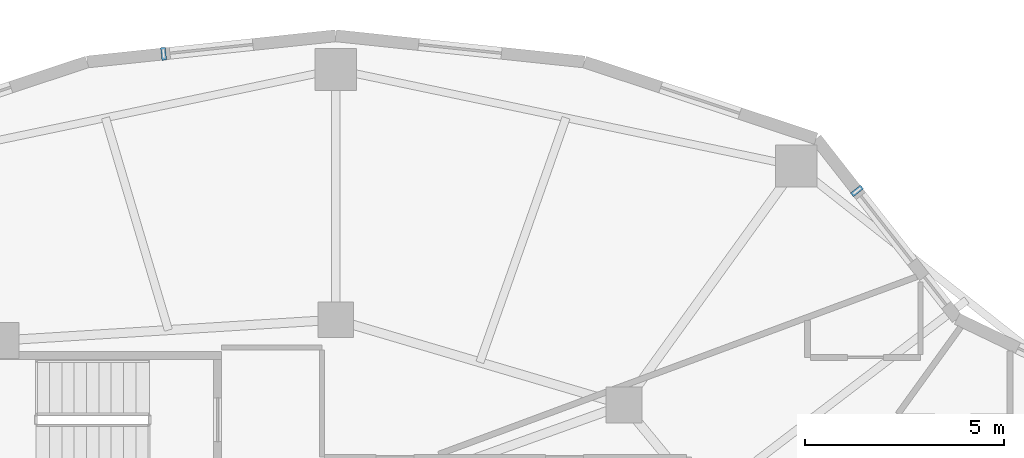
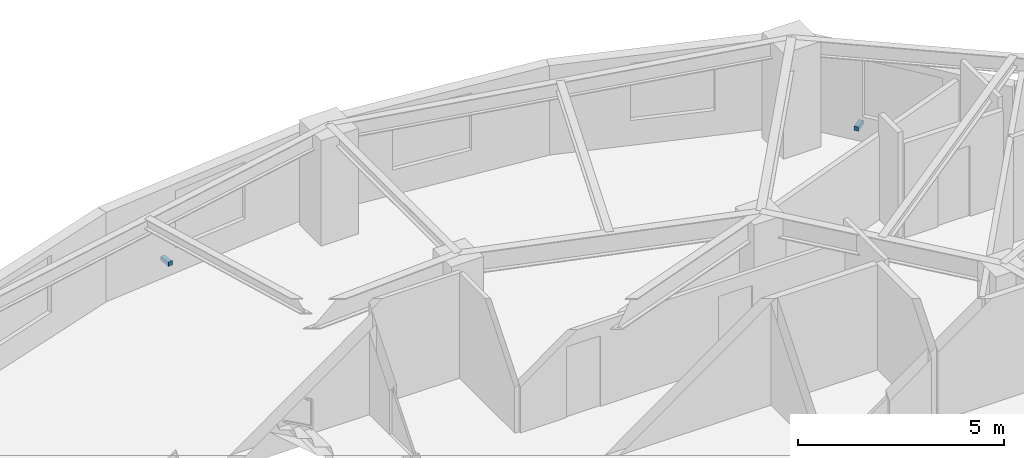
# One storey, part 10 of 14: 2 discrete accessories.
"""IFC4 building model written with IfcOpenShell, lengths in metres."""

from ifc_helpers import new_model, si_unit, direction, frame, origin, origin_2d, place, context, subcontext, project, spatial, rectangle, extrude, material, type_object, element, save


model = new_model("IFC4")

# Units and contexts
model_context = context("Model", 3, precision=1e-05, world=origin(), true_north=direction((0.0, 1.0)))
body_context = subcontext(model_context, "Body", "Model", "MODEL_VIEW")
ifc_project = project(units=[si_unit("LENGTHUNIT", "METRE"), si_unit("AREAUNIT", "SQUARE_METRE"), si_unit("VOLUMEUNIT", "CUBIC_METRE"), si_unit("PLANEANGLEUNIT", "RADIAN"), si_unit("MASSUNIT", "GRAM", prefix="KILO")], contexts=[model_context])

# Site, building, storey
site_placement = place(None, origin())
site = spatial("IfcSite", under=ifc_project, at=site_placement, CompositionType="ELEMENT")
building_placement = place(site_placement, origin())
building = spatial("IfcBuilding", under=site, at=building_placement, Name="Kolvaren Gate Tower and Convention Centre", CompositionType="ELEMENT")
storey_placement = place(building_placement, frame((0.0, 0.0, 132.5)))
storey = spatial("IfcBuildingStorey", under=building, at=storey_placement, Name="L33", CompositionType="ELEMENT", Elevation=132.5)

# Discrete accessories
ifc_material = material(Name="Anodized Architectural Aluminium Alloy 6063-T6", Category="aluminium")
discrete_accessory_type = type_object("IfcDiscreteAccessoryType", Name="ARCH-ACC-BRACKET-120", PredefinedType="BRACKET", material=ifc_material)
for number, where, z_axis, x_axis, name in (
    (1, (43.24755859375, 42.443359375, 0.2900390625), (0.0, 0.0, 1.0), (0.616424499081, -0.787414018756, 0.0), "Ceramic Fin Wall Anchor Bracket FBK-L33-03"),
    (2, (25.791015625, 45.8935546875, 0.2900390625), (0.0, 0.0, 1.0), (0.994499981166, 0.104736753152, 0.0), "Ceramic Fin Wall Anchor Bracket FBK-L33-06"),
):
    element("IfcDiscreteAccessory", number, at=place(storey_placement, frame(where, z_axis=z_axis, x_axis=x_axis)), inside=storey, type_object=discrete_accessory_type, Name=name, PredefinedType="BRACKET", context=body_context, shape_type="SweptSolid", body=[
        extrude(rectangle(XDim=0.1201171875, YDim=0.320068359375, at=origin_2d()), origin(), (0.0, 0.0, 1.0), 0.1201171875),
    ])

save(model, "model.ifc")
